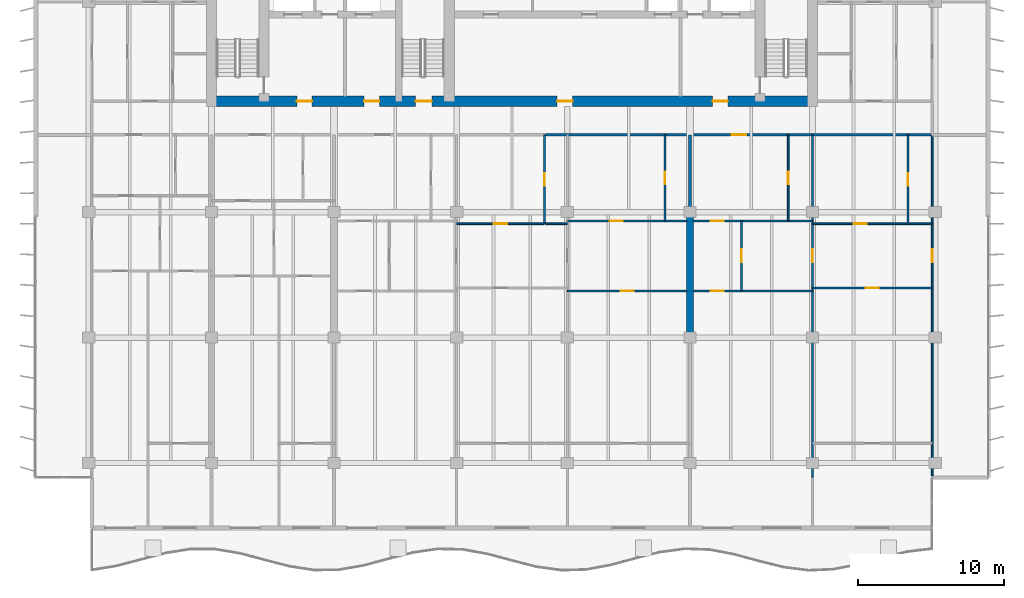
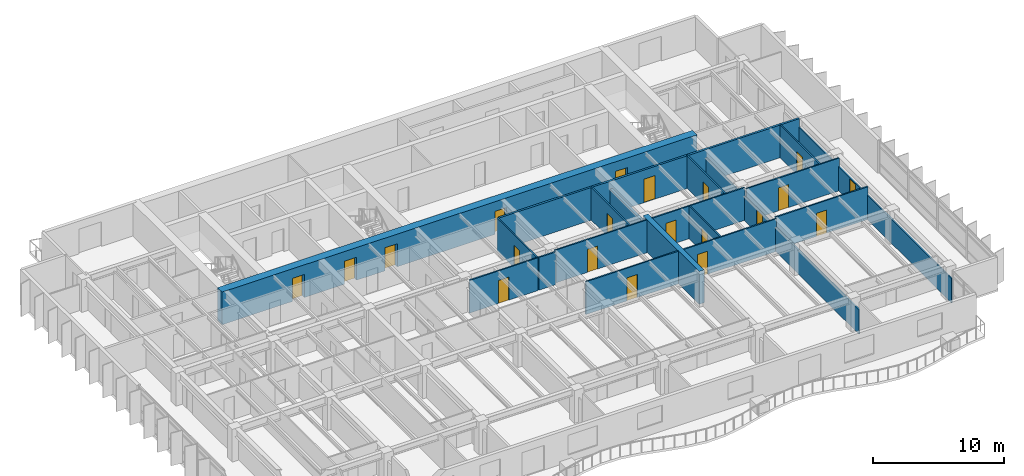
# One storey, part 10 of 17: 20 doors, 19 walls, 20 openings.
"""IFC4 building model written with IfcOpenShell, lengths in metres."""

from ifc_helpers import new_model, si_unit, direction, frame, frame_2d, origin, place, context, subcontext, project, spatial, rectangle, extrude, material, layer, layer_set, type_object, element, fill, save


model = new_model("IFC4")

# Units and contexts
model_context = context("Model", 3, precision=1e-05, world=origin(), true_north=direction((0.0, 1.0)))
body_context = subcontext(model_context, "Body", "Model", "MODEL_VIEW")
ifc_project = project(units=[si_unit("LENGTHUNIT", "METRE"), si_unit("AREAUNIT", "SQUARE_METRE"), si_unit("VOLUMEUNIT", "CUBIC_METRE"), si_unit("PLANEANGLEUNIT", "RADIAN"), si_unit("MASSUNIT", "GRAM", prefix="KILO")], contexts=[model_context])

# Site, building, storey
site_placement = place(None, origin())
site = spatial("IfcSite", under=ifc_project, at=site_placement, CompositionType="ELEMENT")
building_placement = place(site_placement, origin())
building = spatial("IfcBuilding", under=site, at=building_placement, Name="Caelmar Bay Residences", CompositionType="ELEMENT")
storey_placement = place(building_placement, frame((0.0, 0.0, 201.60009765625)))
storey = spatial("IfcBuildingStorey", under=building, at=storey_placement, Name="L56", CompositionType="ELEMENT", Elevation=201.60009765625)

# Wall, openings, doors
ifc_material_1 = material(Name="Concrete f'c 55 MPa (8,000 psi)", Category="concrete")
ifc_layer_1 = layer(ifc_material_1, 0.699951171875)
ifc_layer_set_1 = layer_set([ifc_layer_1], Name="Concrete f'c 55 MPa (8,000 psi)")
wall_type_1 = type_object("IfcWallType", Name="SW-COR-700", PredefinedType="SHEAR", material=ifc_layer_set_1)
wall_1_placement = place(storey_placement, frame((17.949951171875, 37.0, 0.0), z_axis=(0.0, 0.0, 1.0), x_axis=(1.0, 0.0, 0.0)))
wall_1 = element("IfcWall", 1, at=wall_1_placement, inside=storey, type_object=wall_type_1, Name="L56 Rear Core South Shear Wall", PredefinedType="SHEAR", context=body_context, shape_type="SweptSolid", body=[
    extrude(rectangle(XDim=41.900146484375, YDim=0.699951171875, at=frame_2d((20.9501953125, 0.0))), origin(), (0.0, 0.0, 1.0), 3.0498046875),
])
opening_1_placement = place(wall_1_placement, frame((14.35009765625, 0.0, 0.0)))
opening_1 = element("IfcOpeningElement", 2, at=opening_1_placement, cuts=wall_1, Name="Opening D-L56-105", PredefinedType="OPENING", context=body_context, shape_type="SweptSolid", body=[
    extrude(rectangle(XDim=1.10009765625, YDim=2.14990234375, at=frame_2d((0.550048828125, 1.074951171875))), frame((0.0, 0.35986328125, 0.0), z_axis=(0.0, -1.0, 0.0), x_axis=(1.0, 0.0, 0.0)), (0.0, 0.0, 1.0), 0.719970703125),
])
opening_2_placement = place(wall_1_placement, frame((6.199951171875, 0.0, 0.0)))
opening_2 = element("IfcOpeningElement", 3, at=opening_2_placement, cuts=wall_1, Name="Opening D-L56-106", PredefinedType="OPENING", context=body_context, shape_type="SweptSolid", body=[
    extrude(rectangle(XDim=1.050048828125, YDim=2.14990234375, at=frame_2d((0.52490234375, 1.074951171875))), frame((0.0, 0.35986328125, 0.0), z_axis=(0.0, -1.0, 0.0), x_axis=(1.0, 0.0, 0.0)), (0.0, 0.0, 1.0), 0.719970703125),
])
opening_3_placement = place(wall_1_placement, frame((34.699951171875, 0.0, 0.0)))
opening_3 = element("IfcOpeningElement", 4, at=opening_3_placement, cuts=wall_1, Name="Opening D-L56-109", PredefinedType="OPENING", context=body_context, shape_type="SweptSolid", body=[
    extrude(rectangle(XDim=1.050048828125, YDim=2.14990234375, at=frame_2d((0.52490234375, 1.074951171875))), frame((0.0, 0.35986328125, 0.0), z_axis=(0.0, -1.0, 0.0), x_axis=(1.0, 0.0, 0.0)), (0.0, 0.0, 1.0), 0.719970703125),
])
opening_4_placement = place(wall_1_placement, frame((10.8125, 0.0, 0.0)))
opening_4 = element("IfcOpeningElement", 5, at=opening_4_placement, cuts=wall_1, Name="Opening D-L56-112", PredefinedType="OPENING", context=body_context, shape_type="SweptSolid", body=[
    extrude(rectangle(XDim=1.050048828125, YDim=2.14990234375, at=frame_2d((0.52490234375, 1.074951171875))), frame((0.0, 0.35986328125, 0.0), z_axis=(0.0, -1.0, 0.0), x_axis=(1.0, 0.0, 0.0)), (0.0, 0.0, 1.0), 0.719970703125),
])
opening_5_placement = place(wall_1_placement, frame((24.050048828125, 0.0, 0.0)))
opening_5 = element("IfcOpeningElement", 6, at=opening_5_placement, cuts=wall_1, Name="Opening D-L56-113", PredefinedType="OPENING", context=body_context, shape_type="SweptSolid", body=[
    extrude(rectangle(XDim=1.050048828125, YDim=2.14990234375, at=frame_2d((0.52490234375, 1.074951171875))), frame((0.0, 0.35986328125, 0.0), z_axis=(0.0, -1.0, 0.0), x_axis=(1.0, 0.0, 0.0)), (0.0, 0.0, 1.0), 0.719970703125),
])
ifc_material_2 = material(Name="Fire-rated steel and walnut architectural door assembly", Category="steel")
ifc_layer_2 = layer(ifc_material_2, 0.050048828125)
ifc_layer_set_2 = layer_set([ifc_layer_2], Name="Fire-rated steel and walnut architectural door assembly")
door_type_1 = type_object("IfcDoorType", Name="D-FSAE-1050", OperationType="NOTDEFINED", PredefinedType="DOOR", material=ifc_layer_set_2)
door_1_placement = place(opening_2_placement, origin())
door_1 = element("IfcDoor", 7, at=door_1_placement, inside=storey, type_object=door_type_1, Name="L56 Firefighting Lobby West Door", OperationType="SINGLE_SWING_RIGHT", OverallHeight=2.14990234375, OverallWidth=1.050048828125, PredefinedType="DOOR", context=body_context, shape_type="SweptSolid", body=[
    extrude(rectangle(XDim=1.050048828125, YDim=2.14990234375, at=frame_2d((0.52490234375, 1.074951171875))), frame((0.0, 0.02490234375, 0.0), z_axis=(0.0, -1.0, 0.0), x_axis=(1.0, 0.0, 0.0)), (0.0, 0.0, 1.0), 0.050048828125),
])
fill(opening_2, door_1)
door_2_placement = place(opening_3_placement, origin())
door_2 = element("IfcDoor", 8, at=door_2_placement, inside=storey, type_object=door_type_1, Name="L56 Firefighting Lobby East Door", OperationType="SINGLE_SWING_LEFT", OverallHeight=2.14990234375, OverallWidth=1.050048828125, PredefinedType="DOOR", context=body_context, shape_type="SweptSolid", body=[
    extrude(rectangle(XDim=1.050048828125, YDim=2.14990234375, at=frame_2d((0.52490234375, 1.074951171875))), frame((0.0, 0.02490234375, 0.0), z_axis=(0.0, -1.0, 0.0), x_axis=(1.0, 0.0, 0.0)), (0.0, 0.0, 1.0), 0.050048828125),
])
fill(opening_3, door_2)
door_3_placement = place(opening_4_placement, origin())
door_3 = element("IfcDoor", 9, at=door_3_placement, inside=storey, type_object=door_type_1, Name="L56 West Lift Lobby Door", OperationType="SINGLE_SWING_RIGHT", OverallHeight=2.14990234375, OverallWidth=1.050048828125, PredefinedType="DOOR", context=body_context, shape_type="SweptSolid", body=[
    extrude(rectangle(XDim=1.050048828125, YDim=2.14990234375, at=frame_2d((0.52490234375, 1.074951171875))), frame((0.0, 0.02490234375, 0.0), z_axis=(0.0, -1.0, 0.0), x_axis=(1.0, 0.0, 0.0)), (0.0, 0.0, 1.0), 0.050048828125),
])
fill(opening_4, door_3)
door_4_placement = place(opening_5_placement, origin())
door_4 = element("IfcDoor", 10, at=door_4_placement, inside=storey, type_object=door_type_1, Name="L56 Passenger Lift Lobby Door", OperationType="SINGLE_SWING_LEFT", OverallHeight=2.14990234375, OverallWidth=1.050048828125, PredefinedType="DOOR", context=body_context, shape_type="SweptSolid", body=[
    extrude(rectangle(XDim=1.050048828125, YDim=2.14990234375, at=frame_2d((0.52490234375, 1.074951171875))), frame((0.0, 0.02490234375, 0.0), z_axis=(0.0, -1.0, 0.0), x_axis=(1.0, 0.0, 0.0)), (0.0, 0.0, 1.0), 0.050048828125),
])
fill(opening_5, door_4)
ifc_layer_3 = layer(ifc_material_2, 0.050048828125)
ifc_layer_set_3 = layer_set([ifc_layer_3], Name="Fire-rated steel and walnut architectural door assembly")
door_type_2 = type_object("IfcDoorType", Name="D-STAIR-1100", OperationType="NOTDEFINED", PredefinedType="DOOR", material=ifc_layer_set_3)
door_5_placement = place(opening_1_placement, origin())
door_5 = element("IfcDoor", 11, at=door_5_placement, inside=storey, type_object=door_type_2, Name="L56 Exit Stair ST3 Door", OperationType="SINGLE_SWING_LEFT", OverallHeight=2.14990234375, OverallWidth=1.10009765625, PredefinedType="DOOR", context=body_context, shape_type="SweptSolid", body=[
    extrude(rectangle(XDim=1.10009765625, YDim=2.14990234375, at=frame_2d((0.550048828125, 1.074951171875))), frame((0.0, 0.02490234375, 0.0), z_axis=(0.0, -1.0, 0.0), x_axis=(1.0, 0.0, 0.0)), (0.0, 0.0, 1.0), 0.050048828125),
])
fill(opening_1, door_5)

# Wall
ifc_layer_4 = layer(ifc_material_1, 0.449951171875)
ifc_layer_set_4 = layer_set([ifc_layer_4], Name="Concrete f'c 55 MPa (8,000 psi)")
wall_type_2 = type_object("IfcWallType", Name="SW-XSLB-450", PredefinedType="SHEAR", material=ifc_layer_set_4)
wall_2_placement = place(storey_placement, frame((51.10009765625, 20.800048828125, 0.0), z_axis=(0.0, 0.0, 1.0), x_axis=(0.0, 1.0, 0.0)))
element("IfcWall", 12, at=wall_2_placement, inside=storey, type_object=wall_type_2, Name="L56 Transverse Cross-Slab Shear Wall E8", PredefinedType="SHEAR", context=body_context, shape_type="SweptSolid", body=[
    extrude(rectangle(XDim=8.599853515625, YDim=0.449951171875, at=frame_2d((4.2998046875, 0.0))), origin(), (0.0, 0.0, 1.0), 3.0498046875),
])

# Wall, opening, door
ifc_material_3 = material(Name="Double-stud acoustic fire-rated gypsum partition 180 mm")
ifc_layer_5 = layer(ifc_material_3, 0.179931640625)
ifc_layer_set_5 = layer_set([ifc_layer_5], Name="Double-stud acoustic fire-rated gypsum partition 180 mm")
wall_type_3 = type_object("IfcWallType", Name="W-COR-200", PredefinedType="PARTITIONING", material=ifc_layer_set_5)
wall_3_placement = place(storey_placement, frame((41.199951171875, 34.699951171875, 0.0), z_axis=(0.0, 0.0, 1.0), x_axis=(1.0, 0.0, 0.0)))
wall_3 = element("IfcWall", 13, at=wall_3_placement, inside=storey, type_object=wall_type_3, Name="L56 Partition Wall H079", PredefinedType="PARTITIONING", context=body_context, shape_type="SweptSolid", body=[
    extrude(rectangle(XDim=26.5, YDim=0.179931640625, at=frame_2d((13.25, 0.0))), origin(), (0.0, 0.0, 1.0), 3.0498046875),
])
opening_6_placement = place(wall_3_placement, frame((12.76953125, 0.0, 0.0)))
opening_6 = element("IfcOpeningElement", 14, at=opening_6_placement, cuts=wall_3, Name="Opening D-L56-151", PredefinedType="OPENING", context=body_context, shape_type="SweptSolid", body=[
    extrude(rectangle(XDim=1.0, YDim=2.199951171875, at=frame_2d((0.5, 1.10009765625))), frame((0.0, 0.099853515625, 0.0), z_axis=(0.0, -1.0, 0.0), x_axis=(1.0, 0.0, 0.0)), (0.0, 0.0, 1.0), 0.199951171875),
])
ifc_layer_6 = layer(ifc_material_2, 0.050048828125)
ifc_layer_set_6 = layer_set([ifc_layer_6], Name="Fire-rated steel and walnut architectural door assembly")
door_type_3 = type_object("IfcDoorType", Name="D-UNIT-1000", OperationType="NOTDEFINED", PredefinedType="DOOR", material=ifc_layer_set_6)
door_6_placement = place(opening_6_placement, origin())
door_6 = element("IfcDoor", 15, at=door_6_placement, inside=storey, type_object=door_type_3, Name="L56 Residence 04 Apartment Hall Door", OperationType="SINGLE_SWING_LEFT", OverallHeight=2.199951171875, OverallWidth=1.0, PredefinedType="DOOR", context=body_context, shape_type="SweptSolid", body=[
    extrude(rectangle(XDim=1.0, YDim=2.199951171875, at=frame_2d((0.5, 1.10009765625))), frame((0.0, 0.02490234375, 0.0), z_axis=(0.0, -1.0, 0.0), x_axis=(1.0, 0.0, 0.0)), (0.0, 0.0, 1.0), 0.050048828125),
])
fill(opening_6, door_6)

ifc_material_4 = material(Name="Acoustic metal-stud gypsum partition 120 mm")
ifc_layer_7 = layer(ifc_material_4, 0.1201171875)
ifc_layer_set_7 = layer_set([ifc_layer_7], Name="Acoustic metal-stud gypsum partition 120 mm")
wall_type_4 = type_object("IfcWallType", Name="W-PRT-120", PredefinedType="PARTITIONING", material=ifc_layer_set_7)
wall_4_placement = place(storey_placement, frame((41.1259765625, 28.60009765625, 0.0), z_axis=(0.0, 0.0, 1.0), x_axis=(0.0, 1.0, 0.0)))
wall_4 = element("IfcWall", 16, at=wall_4_placement, inside=storey, type_object=wall_type_4, Name="L56 Partition Wall V030", PredefinedType="PARTITIONING", context=body_context, shape_type="SweptSolid", body=[
    extrude(rectangle(XDim=6.099853515625, YDim=0.1201171875, at=frame_2d((3.0498046875, 0.0))), origin(), (0.0, 0.0, 1.0), 3.0498046875),
])
opening_7_placement = place(wall_4_placement, frame((2.625, 0.0, 0.0)))
opening_7 = element("IfcOpeningElement", 17, at=opening_7_placement, cuts=wall_4, Name="Opening D-L56-143", PredefinedType="OPENING", context=body_context, shape_type="SweptSolid", body=[
    extrude(rectangle(XDim=0.85009765625, YDim=2.10009765625, at=frame_2d((0.425048828125, 1.050048828125))), frame((0.0, 0.070068359375, 0.0), z_axis=(0.0, -1.0, 0.0), x_axis=(1.0, 0.0, 0.0)), (0.0, 0.0, 1.0), 0.14013671875),
])
ifc_material_5 = material(Name="Solid walnut timber interior door leaf and frame", Category="wood")
ifc_layer_8 = layer(ifc_material_5, 0.050048828125)
ifc_layer_set_8 = layer_set([ifc_layer_8], Name="Solid walnut timber interior door leaf and frame")
door_type_4 = type_object("IfcDoorType", Name="D-BATH-850", OperationType="NOTDEFINED", PredefinedType="DOOR", material=ifc_layer_set_8)
door_7_placement = place(opening_7_placement, origin())
door_7 = element("IfcDoor", 18, at=door_7_placement, inside=storey, type_object=door_type_4, Name="L56 Residence 03 En-Suite Bathroom 1 Door", OperationType="SINGLE_SWING_LEFT", OverallHeight=2.10009765625, OverallWidth=0.85009765625, PredefinedType="DOOR", context=body_context, shape_type="SweptSolid", body=[
    extrude(rectangle(XDim=0.85009765625, YDim=2.10009765625, at=frame_2d((0.425048828125, 1.050048828125))), frame((0.0, 0.02490234375, 0.0), z_axis=(0.0, -1.0, 0.0), x_axis=(1.0, 0.0, 0.0)), (0.0, 0.0, 1.0), 0.050048828125),
])
fill(opening_7, door_7)

wall_5_placement = place(storey_placement, frame((49.387939453125, 28.800048828125, 0.0), z_axis=(0.0, 0.0, 1.0), x_axis=(0.0, 1.0, 0.0)))
wall_5 = element("IfcWall", 19, at=wall_5_placement, inside=storey, type_object=wall_type_4, Name="L56 Partition Wall V036", PredefinedType="PARTITIONING", context=body_context, shape_type="SweptSolid", body=[
    extrude(rectangle(XDim=5.89990234375, YDim=0.1201171875, at=frame_2d((2.949951171875, 0.0))), origin(), (0.0, 0.0, 1.0), 3.0498046875),
])
opening_8_placement = place(wall_5_placement, frame((2.52490234375, 0.0, 0.0)))
opening_8 = element("IfcOpeningElement", 20, at=opening_8_placement, cuts=wall_5, Name="Opening D-L56-148", PredefinedType="OPENING", context=body_context, shape_type="SweptSolid", body=[
    extrude(rectangle(XDim=0.85009765625, YDim=2.10009765625, at=frame_2d((0.425048828125, 1.050048828125))), frame((0.0, 0.070068359375, 0.0), z_axis=(0.0, -1.0, 0.0), x_axis=(1.0, 0.0, 0.0)), (0.0, 0.0, 1.0), 0.14013671875),
])
door_8_placement = place(opening_8_placement, origin())
door_8 = element("IfcDoor", 21, at=door_8_placement, inside=storey, type_object=door_type_4, Name="L56 Residence 03 En-Suite Bathroom 2 Door", OperationType="SINGLE_SWING_RIGHT", OverallHeight=2.10009765625, OverallWidth=0.85009765625, PredefinedType="DOOR", context=body_context, shape_type="SweptSolid", body=[
    extrude(rectangle(XDim=0.85009765625, YDim=2.10009765625, at=frame_2d((0.425048828125, 1.050048828125))), frame((0.0, 0.02490234375, 0.0), z_axis=(0.0, -1.0, 0.0), x_axis=(1.0, 0.0, 0.0)), (0.0, 0.0, 1.0), 0.050048828125),
])
fill(opening_8, door_8)

wall_6_placement = place(storey_placement, frame((54.6279296875, 24.0, 0.0), z_axis=(0.0, 0.0, 1.0), x_axis=(0.0, 1.0, 0.0)))
wall_6 = element("IfcWall", 22, at=wall_6_placement, inside=storey, type_object=wall_type_4, Name="L56 Partition Wall V044", PredefinedType="PARTITIONING", context=body_context, shape_type="SweptSolid", body=[
    extrude(rectangle(XDim=4.800048828125, YDim=0.1201171875, at=frame_2d((2.39990234375, 0.0))), origin(), (0.0, 0.0, 1.0), 3.0498046875),
])
opening_9_placement = place(wall_6_placement, frame((1.949951171875, 0.0, 0.0)))
opening_9 = element("IfcOpeningElement", 23, at=opening_9_placement, cuts=wall_6, Name="Opening D-L56-154", PredefinedType="OPENING", context=body_context, shape_type="SweptSolid", body=[
    extrude(rectangle(XDim=0.89990234375, YDim=2.14990234375, at=frame_2d((0.449951171875, 1.074951171875))), frame((0.0, 0.070068359375, 0.0), z_axis=(0.0, -1.0, 0.0), x_axis=(1.0, 0.0, 0.0)), (0.0, 0.0, 1.0), 0.14013671875),
])
ifc_layer_9 = layer(ifc_material_5, 0.050048828125)
ifc_layer_set_9 = layer_set([ifc_layer_9], Name="Solid walnut timber interior door leaf and frame")
door_type_5 = type_object("IfcDoorType", Name="D-ROOM-900", OperationType="NOTDEFINED", PredefinedType="DOOR", material=ifc_layer_set_9)
door_9_placement = place(opening_9_placement, origin())
door_9 = element("IfcDoor", 24, at=door_9_placement, inside=storey, type_object=door_type_5, Name="L56 Residence 04 Kitchen Door", OperationType="SINGLE_SWING_RIGHT", OverallHeight=2.14990234375, OverallWidth=0.89990234375, PredefinedType="DOOR", context=body_context, shape_type="SweptSolid", body=[
    extrude(rectangle(XDim=0.89990234375, YDim=2.14990234375, at=frame_2d((0.449951171875, 1.074951171875))), frame((0.0, 0.02490234375, 0.0), z_axis=(0.0, -1.0, 0.0), x_axis=(1.0, 0.0, 0.0)), (0.0, 0.0, 1.0), 0.050048828125),
])
fill(opening_9, door_9)

wall_7_placement = place(storey_placement, frame((57.839111328125, 28.800048828125, 0.0), z_axis=(0.0, 0.0, 1.0), x_axis=(0.0, 1.0, 0.0)))
wall_7 = element("IfcWall", 25, at=wall_7_placement, inside=storey, type_object=wall_type_4, Name="L56 Partition Wall V046", PredefinedType="PARTITIONING", context=body_context, shape_type="SweptSolid", body=[
    extrude(rectangle(XDim=5.89990234375, YDim=0.1201171875, at=frame_2d((2.949951171875, 0.0))), origin(), (0.0, 0.0, 1.0), 3.0498046875),
])
opening_10_placement = place(wall_7_placement, frame((2.52490234375, 0.0, 0.0)))
opening_10 = element("IfcOpeningElement", 26, at=opening_10_placement, cuts=wall_7, Name="Opening D-L56-152", PredefinedType="OPENING", context=body_context, shape_type="SweptSolid", body=[
    extrude(rectangle(XDim=0.85009765625, YDim=2.10009765625, at=frame_2d((0.425048828125, 1.050048828125))), frame((0.0, 0.070068359375, 0.0), z_axis=(0.0, -1.0, 0.0), x_axis=(1.0, 0.0, 0.0)), (0.0, 0.0, 1.0), 0.14013671875),
])
door_10_placement = place(opening_10_placement, origin())
door_10 = element("IfcDoor", 27, at=door_10_placement, inside=storey, type_object=door_type_4, Name="L56 Residence 04 Guest Bathroom Door", OperationType="SINGLE_SWING_RIGHT", OverallHeight=2.10009765625, OverallWidth=0.85009765625, PredefinedType="DOOR", context=body_context, shape_type="SweptSolid", body=[
    extrude(rectangle(XDim=0.85009765625, YDim=2.10009765625, at=frame_2d((0.425048828125, 1.050048828125))), frame((0.0, 0.02490234375, 0.0), z_axis=(0.0, -1.0, 0.0), x_axis=(1.0, 0.0, 0.0)), (0.0, 0.0, 1.0), 0.050048828125),
])
fill(opening_10, door_10)

wall_8_placement = place(storey_placement, frame((59.5, 11.239990234375, 0.0), z_axis=(0.0, 0.0, 1.0), x_axis=(0.0, 1.0, 0.0)))
wall_8 = element("IfcWall", 28, at=wall_8_placement, inside=storey, type_object=wall_type_4, Name="L56 Partition Wall V048", PredefinedType="PARTITIONING", context=body_context, shape_type="SweptSolid", body=[
    extrude(rectangle(XDim=23.4599609375, YDim=0.1201171875, at=frame_2d((11.72998046875, 0.0))), origin(), (0.0, 0.0, 1.0), 2.262939453125),
])
opening_11_placement = place(wall_8_placement, frame((14.7099609375, 0.0, 0.0)))
opening_11 = element("IfcOpeningElement", 29, at=opening_11_placement, cuts=wall_8, Name="Opening D-L56-156", PredefinedType="OPENING", context=body_context, shape_type="SweptSolid", body=[
    extrude(rectangle(XDim=0.89990234375, YDim=2.14990234375, at=frame_2d((0.449951171875, 1.074951171875))), frame((0.0, 0.070068359375, 0.0), z_axis=(0.0, -1.0, 0.0), x_axis=(1.0, 0.0, 0.0)), (0.0, 0.0, 1.0), 0.14013671875),
])
door_11_placement = place(opening_11_placement, origin())
door_11 = element("IfcDoor", 30, at=door_11_placement, inside=storey, type_object=door_type_5, Name="L56 Residence 04 Family Room 1 Door", OperationType="SINGLE_SWING_RIGHT", OverallHeight=2.14990234375, OverallWidth=0.89990234375, PredefinedType="DOOR", context=body_context, shape_type="SweptSolid", body=[
    extrude(rectangle(XDim=0.89990234375, YDim=2.14990234375, at=frame_2d((0.449951171875, 1.074951171875))), frame((0.0, 0.02490234375, 0.0), z_axis=(0.0, -1.0, 0.0), x_axis=(1.0, 0.0, 0.0)), (0.0, 0.0, 1.0), 0.050048828125),
])
fill(opening_11, door_11)

wall_9_placement = place(storey_placement, frame((66.0439453125, 28.60009765625, 0.0), z_axis=(0.0, 0.0, 1.0), x_axis=(0.0, 1.0, 0.0)))
wall_9 = element("IfcWall", 31, at=wall_9_placement, inside=storey, type_object=wall_type_4, Name="L56 Partition Wall V051", PredefinedType="PARTITIONING", context=body_context, shape_type="SweptSolid", body=[
    extrude(rectangle(XDim=6.099853515625, YDim=0.1201171875, at=frame_2d((3.0498046875, 0.0))), origin(), (0.0, 0.0, 1.0), 3.0498046875),
])
opening_12_placement = place(wall_9_placement, frame((2.625, 0.0, 0.0)))
opening_12 = element("IfcOpeningElement", 32, at=opening_12_placement, cuts=wall_9, Name="Opening D-L56-158", PredefinedType="OPENING", context=body_context, shape_type="SweptSolid", body=[
    extrude(rectangle(XDim=0.85009765625, YDim=2.10009765625, at=frame_2d((0.425048828125, 1.050048828125))), frame((0.0, 0.070068359375, 0.0), z_axis=(0.0, -1.0, 0.0), x_axis=(1.0, 0.0, 0.0)), (0.0, 0.0, 1.0), 0.14013671875),
])
door_12_placement = place(opening_12_placement, origin())
door_12 = element("IfcDoor", 33, at=door_12_placement, inside=storey, type_object=door_type_4, Name="L56 Residence 04 En-Suite Bathroom 1 Door", OperationType="SINGLE_SWING_RIGHT", OverallHeight=2.10009765625, OverallWidth=0.85009765625, PredefinedType="DOOR", context=body_context, shape_type="SweptSolid", body=[
    extrude(rectangle(XDim=0.85009765625, YDim=2.10009765625, at=frame_2d((0.425048828125, 1.050048828125))), frame((0.0, 0.02490234375, 0.0), z_axis=(0.0, -1.0, 0.0), x_axis=(1.0, 0.0, 0.0)), (0.0, 0.0, 1.0), 0.050048828125),
])
fill(opening_12, door_12)

wall_10_placement = place(storey_placement, frame((67.699951171875, 11.320068359375, 0.0), z_axis=(0.0, 0.0, 1.0), x_axis=(0.0, 1.0, 0.0)))
wall_10 = element("IfcWall", 34, at=wall_10_placement, inside=storey, type_object=wall_type_4, Name="L56 Partition Wall V052", PredefinedType="PARTITIONING", context=body_context, shape_type="SweptSolid", body=[
    extrude(rectangle(XDim=23.3798828125, YDim=0.1201171875, at=frame_2d((11.68994140625, 0.0))), origin(), (0.0, 0.0, 1.0), 2.262939453125),
])
opening_13_placement = place(wall_10_placement, frame((14.6298828125, 0.0, 0.0)))
opening_13 = element("IfcOpeningElement", 35, at=opening_13_placement, cuts=wall_10, Name="Opening D-L56-162", PredefinedType="OPENING", context=body_context, shape_type="SweptSolid", body=[
    extrude(rectangle(XDim=0.89990234375, YDim=2.14990234375, at=frame_2d((0.449951171875, 1.074951171875))), frame((0.0, 0.070068359375, 0.0), z_axis=(0.0, -1.0, 0.0), x_axis=(1.0, 0.0, 0.0)), (0.0, 0.0, 1.0), 0.14013671875),
])
door_13_placement = place(opening_13_placement, origin())
door_13 = element("IfcDoor", 36, at=door_13_placement, inside=storey, type_object=door_type_5, Name="L56 Residence 04 Penthouse East Salon Door", OperationType="SINGLE_SWING_RIGHT", OverallHeight=2.14990234375, OverallWidth=0.89990234375, PredefinedType="DOOR", context=body_context, shape_type="SweptSolid", body=[
    extrude(rectangle(XDim=0.89990234375, YDim=2.14990234375, at=frame_2d((0.449951171875, 1.074951171875))), frame((0.0, 0.02490234375, 0.0), z_axis=(0.0, -1.0, 0.0), x_axis=(1.0, 0.0, 0.0)), (0.0, 0.0, 1.0), 0.050048828125),
])
fill(opening_13, door_13)

wall_11_placement = place(storey_placement, frame((42.699951171875, 24.0, 0.0), z_axis=(0.0, 0.0, 1.0), x_axis=(1.0, 0.0, 0.0)))
wall_11 = element("IfcWall", 37, at=wall_11_placement, inside=storey, type_object=wall_type_4, Name="L56 Partition Wall H062", PredefinedType="PARTITIONING", context=body_context, shape_type="SweptSolid", body=[
    extrude(rectangle(XDim=8.179931640625, YDim=0.1201171875, at=frame_2d((4.08984375, 0.0))), origin(), (0.0, 0.0, 1.0), 3.0498046875),
])
opening_14_placement = place(wall_11_placement, frame((3.639892578125, 0.0, 0.0)))
opening_14 = element("IfcOpeningElement", 38, at=opening_14_placement, cuts=wall_11, Name="Opening D-L56-149", PredefinedType="OPENING", context=body_context, shape_type="SweptSolid", body=[
    extrude(rectangle(XDim=0.89990234375, YDim=2.14990234375, at=frame_2d((0.449951171875, 1.074951171875))), frame((0.0, 0.070068359375, 0.0), z_axis=(0.0, -1.0, 0.0), x_axis=(1.0, 0.0, 0.0)), (0.0, 0.0, 1.0), 0.14013671875),
])
door_14_placement = place(opening_14_placement, origin())
door_14 = element("IfcDoor", 39, at=door_14_placement, inside=storey, type_object=door_type_5, Name="L56 Residence 03 Penthouse Sitting Salon 2 Door", OperationType="SINGLE_SWING_LEFT", OverallHeight=2.14990234375, OverallWidth=0.89990234375, PredefinedType="DOOR", context=body_context, shape_type="SweptSolid", body=[
    extrude(rectangle(XDim=0.89990234375, YDim=2.14990234375, at=frame_2d((0.449951171875, 1.074951171875))), frame((0.0, 0.02490234375, 0.0), z_axis=(0.0, -1.0, 0.0), x_axis=(1.0, 0.0, 0.0)), (0.0, 0.0, 1.0), 0.050048828125),
])
fill(opening_14, door_14)

wall_12_placement = place(storey_placement, frame((51.320068359375, 24.0, 0.0), z_axis=(0.0, 0.0, 1.0), x_axis=(1.0, 0.0, 0.0)))
wall_12 = element("IfcWall", 40, at=wall_12_placement, inside=storey, type_object=wall_type_4, Name="L56 Partition Wall H063", PredefinedType="PARTITIONING", context=body_context, shape_type="SweptSolid", body=[
    extrude(rectangle(XDim=8.179931640625, YDim=0.1201171875, at=frame_2d((4.08984375, 0.0))), origin(), (0.0, 0.0, 1.0), 3.0498046875),
])
opening_15_placement = place(wall_12_placement, frame((1.2041015625, 0.0, 0.0)))
opening_15 = element("IfcOpeningElement", 41, at=opening_15_placement, cuts=wall_12, Name="Opening D-L56-155", PredefinedType="OPENING", context=body_context, shape_type="SweptSolid", body=[
    extrude(rectangle(XDim=0.89990234375, YDim=2.14990234375, at=frame_2d((0.449951171875, 1.074951171875))), frame((0.0, 0.070068359375, 0.0), z_axis=(0.0, -1.0, 0.0), x_axis=(1.0, 0.0, 0.0)), (0.0, 0.0, 1.0), 0.14013671875),
])
door_15_placement = place(opening_15_placement, origin())
door_15 = element("IfcDoor", 42, at=door_15_placement, inside=storey, type_object=door_type_5, Name="L56 Residence 04 Penthouse Living Salon Door", OperationType="SINGLE_SWING_LEFT", OverallHeight=2.14990234375, OverallWidth=0.89990234375, PredefinedType="DOOR", context=body_context, shape_type="SweptSolid", body=[
    extrude(rectangle(XDim=0.89990234375, YDim=2.14990234375, at=frame_2d((0.449951171875, 1.074951171875))), frame((0.0, 0.02490234375, 0.0), z_axis=(0.0, -1.0, 0.0), x_axis=(1.0, 0.0, 0.0)), (0.0, 0.0, 1.0), 0.050048828125),
])
fill(opening_15, door_15)

wall_13_placement = place(storey_placement, frame((59.5048828125, 24.199951171875, 0.0), z_axis=(0.0, 0.0, 1.0), x_axis=(1.0, 0.0, 0.0)))
wall_13 = element("IfcWall", 43, at=wall_13_placement, inside=storey, type_object=wall_type_4, Name="L56 Partition Wall H066", PredefinedType="PARTITIONING", context=body_context, shape_type="SweptSolid", body=[
    extrude(rectangle(XDim=8.195068359375, YDim=0.1201171875, at=frame_2d((4.09765625, 0.0))), origin(), (0.0, 0.0, 1.0), 3.0498046875),
])
opening_16_placement = place(wall_13_placement, frame((3.6474609375, 0.0, 0.0)))
opening_16 = element("IfcOpeningElement", 44, at=opening_16_placement, cuts=wall_13, Name="Opening D-L56-159", PredefinedType="OPENING", context=body_context, shape_type="SweptSolid", body=[
    extrude(rectangle(XDim=0.89990234375, YDim=2.14990234375, at=frame_2d((0.449951171875, 1.074951171875))), frame((0.0, 0.070068359375, 0.0), z_axis=(0.0, -1.0, 0.0), x_axis=(1.0, 0.0, 0.0)), (0.0, 0.0, 1.0), 0.14013671875),
])
door_16_placement = place(opening_16_placement, origin())
door_16 = element("IfcDoor", 45, at=door_16_placement, inside=storey, type_object=door_type_5, Name="L56 Residence 04 Penthouse Sitting Salon 1 Door", OperationType="SINGLE_SWING_LEFT", OverallHeight=2.14990234375, OverallWidth=0.89990234375, PredefinedType="DOOR", context=body_context, shape_type="SweptSolid", body=[
    extrude(rectangle(XDim=0.89990234375, YDim=2.14990234375, at=frame_2d((0.449951171875, 1.074951171875))), frame((0.0, 0.02490234375, 0.0), z_axis=(0.0, -1.0, 0.0), x_axis=(1.0, 0.0, 0.0)), (0.0, 0.0, 1.0), 0.050048828125),
])
fill(opening_16, door_16)

wall_14_placement = place(storey_placement, frame((35.10009765625, 28.60009765625, 0.0), z_axis=(0.0, 0.0, 1.0), x_axis=(1.0, 0.0, 0.0)))
wall_14 = element("IfcWall", 46, at=wall_14_placement, inside=storey, type_object=wall_type_4, Name="L56 Partition Wall H069", PredefinedType="PARTITIONING", context=body_context, shape_type="SweptSolid", body=[
    extrude(rectangle(XDim=6.02587890625, YDim=0.1201171875, at=frame_2d((3.012939453125, 0.0))), origin(), (0.0, 0.0, 1.0), 3.0498046875),
])
opening_17_placement = place(wall_14_placement, frame((2.56298828125, 0.0, 0.0)))
opening_17 = element("IfcOpeningElement", 47, at=opening_17_placement, cuts=wall_14, Name="Opening D-L56-142", PredefinedType="OPENING", context=body_context, shape_type="SweptSolid", body=[
    extrude(rectangle(XDim=0.89990234375, YDim=2.14990234375, at=frame_2d((0.449951171875, 1.074951171875))), frame((0.0, 0.070068359375, 0.0), z_axis=(0.0, -1.0, 0.0), x_axis=(1.0, 0.0, 0.0)), (0.0, 0.0, 1.0), 0.14013671875),
])
door_17_placement = place(opening_17_placement, origin())
door_17 = element("IfcDoor", 48, at=door_17_placement, inside=storey, type_object=door_type_5, Name="L56 Residence 03 Sitting Room 1 Door", OperationType="SINGLE_SWING_RIGHT", OverallHeight=2.14990234375, OverallWidth=0.89990234375, PredefinedType="DOOR", context=body_context, shape_type="SweptSolid", body=[
    extrude(rectangle(XDim=0.89990234375, YDim=2.14990234375, at=frame_2d((0.449951171875, 1.074951171875))), frame((0.0, 0.02490234375, 0.0), z_axis=(0.0, -1.0, 0.0), x_axis=(1.0, 0.0, 0.0)), (0.0, 0.0, 1.0), 0.050048828125),
])
fill(opening_17, door_17)

# Wall
wall_15_placement = place(storey_placement, frame((41.199951171875, 28.60009765625, 0.0), z_axis=(0.0, 0.0, 1.0), x_axis=(1.0, 0.0, 0.0)))
element("IfcWall", 49, at=wall_15_placement, inside=storey, type_object=wall_type_4, Name="L56 Partition Wall H070", PredefinedType="PARTITIONING", context=body_context, shape_type="SweptSolid", body=[
    extrude(rectangle(XDim=1.5, YDim=0.1201171875, at=frame_2d((0.75, 0.0))), origin(), (0.0, 0.0, 1.0), 3.0498046875),
])

# Wall, opening, door
wall_16_placement = place(storey_placement, frame((59.5, 28.60009765625, 0.0), z_axis=(0.0, 0.0, 1.0), x_axis=(1.0, 0.0, 0.0)))
wall_16 = element("IfcWall", 50, at=wall_16_placement, inside=storey, type_object=wall_type_4, Name="L56 Partition Wall H071", PredefinedType="PARTITIONING", context=body_context, shape_type="SweptSolid", body=[
    extrude(rectangle(XDim=8.199951171875, YDim=0.1201171875, at=frame_2d((4.10009765625, 0.0))), origin(), (0.0, 0.0, 1.0), 3.0498046875),
])
opening_18_placement = place(wall_16_placement, frame((2.822021484375, 0.0, 0.0)))
opening_18 = element("IfcOpeningElement", 51, at=opening_18_placement, cuts=wall_16, Name="Opening D-L56-157", PredefinedType="OPENING", context=body_context, shape_type="SweptSolid", body=[
    extrude(rectangle(XDim=0.89990234375, YDim=2.14990234375, at=frame_2d((0.449951171875, 1.074951171875))), frame((0.0, 0.070068359375, 0.0), z_axis=(0.0, -1.0, 0.0), x_axis=(1.0, 0.0, 0.0)), (0.0, 0.0, 1.0), 0.14013671875),
])
door_18_placement = place(opening_18_placement, origin())
door_18 = element("IfcDoor", 52, at=door_18_placement, inside=storey, type_object=door_type_5, Name="L56 Residence 04 Sitting Room 1 Door", OperationType="SINGLE_SWING_LEFT", OverallHeight=2.14990234375, OverallWidth=0.89990234375, PredefinedType="DOOR", context=body_context, shape_type="SweptSolid", body=[
    extrude(rectangle(XDim=0.89990234375, YDim=2.14990234375, at=frame_2d((0.449951171875, 1.074951171875))), frame((0.0, 0.02490234375, 0.0), z_axis=(0.0, -1.0, 0.0), x_axis=(1.0, 0.0, 0.0)), (0.0, 0.0, 1.0), 0.050048828125),
])
fill(opening_18, door_18)

wall_17_placement = place(storey_placement, frame((42.705078125, 28.800048828125, 0.0), z_axis=(0.0, 0.0, 1.0), x_axis=(1.0, 0.0, 0.0)))
wall_17 = element("IfcWall", 53, at=wall_17_placement, inside=storey, type_object=wall_type_4, Name="L56 Partition Wall H073", PredefinedType="PARTITIONING", context=body_context, shape_type="SweptSolid", body=[
    extrude(rectangle(XDim=8.1748046875, YDim=0.1201171875, at=frame_2d((4.08740234375, 0.0))), origin(), (0.0, 0.0, 1.0), 3.0498046875),
])
opening_19_placement = place(wall_17_placement, frame((2.8916015625, 0.0, 0.0)))
opening_19 = element("IfcOpeningElement", 54, at=opening_19_placement, cuts=wall_17, Name="Opening D-L56-147", PredefinedType="OPENING", context=body_context, shape_type="SweptSolid", body=[
    extrude(rectangle(XDim=0.89990234375, YDim=2.14990234375, at=frame_2d((0.449951171875, 1.074951171875))), frame((0.0, 0.070068359375, 0.0), z_axis=(0.0, -1.0, 0.0), x_axis=(1.0, 0.0, 0.0)), (0.0, 0.0, 1.0), 0.14013671875),
])
door_19_placement = place(opening_19_placement, origin())
door_19 = element("IfcDoor", 55, at=door_19_placement, inside=storey, type_object=door_type_5, Name="L56 Residence 03 Sitting Room 2 Door", OperationType="SINGLE_SWING_LEFT", OverallHeight=2.14990234375, OverallWidth=0.89990234375, PredefinedType="DOOR", context=body_context, shape_type="SweptSolid", body=[
    extrude(rectangle(XDim=0.89990234375, YDim=2.14990234375, at=frame_2d((0.449951171875, 1.074951171875))), frame((0.0, 0.02490234375, 0.0), z_axis=(0.0, -1.0, 0.0), x_axis=(1.0, 0.0, 0.0)), (0.0, 0.0, 1.0), 0.050048828125),
])
fill(opening_19, door_19)

wall_18_placement = place(storey_placement, frame((51.320068359375, 28.800048828125, 0.0), z_axis=(0.0, 0.0, 1.0), x_axis=(1.0, 0.0, 0.0)))
wall_18 = element("IfcWall", 56, at=wall_18_placement, inside=storey, type_object=wall_type_4, Name="L56 Partition Wall H074", PredefinedType="PARTITIONING", context=body_context, shape_type="SweptSolid", body=[
    extrude(rectangle(XDim=8.175048828125, YDim=0.1201171875, at=frame_2d((4.08740234375, 0.0))), origin(), (0.0, 0.0, 1.0), 3.0498046875),
])
opening_20_placement = place(wall_18_placement, frame((1.2041015625, 0.0, 0.0)))
opening_20 = element("IfcOpeningElement", 57, at=opening_20_placement, cuts=wall_18, Name="Opening D-L56-153", PredefinedType="OPENING", context=body_context, shape_type="SweptSolid", body=[
    extrude(rectangle(XDim=0.89990234375, YDim=2.14990234375, at=frame_2d((0.449951171875, 1.074951171875))), frame((0.0, 0.070068359375, 0.0), z_axis=(0.0, -1.0, 0.0), x_axis=(1.0, 0.0, 0.0)), (0.0, 0.0, 1.0), 0.14013671875),
])
door_20_placement = place(opening_20_placement, origin())
door_20 = element("IfcDoor", 58, at=door_20_placement, inside=storey, type_object=door_type_5, Name="L56 Residence 04 Dining Room Door", OperationType="SINGLE_SWING_LEFT", OverallHeight=2.14990234375, OverallWidth=0.89990234375, PredefinedType="DOOR", context=body_context, shape_type="SweptSolid", body=[
    extrude(rectangle(XDim=0.89990234375, YDim=2.14990234375, at=frame_2d((0.449951171875, 1.074951171875))), frame((0.0, 0.02490234375, 0.0), z_axis=(0.0, -1.0, 0.0), x_axis=(1.0, 0.0, 0.0)), (0.0, 0.0, 1.0), 0.050048828125),
])
fill(opening_20, door_20)

# Wall
ifc_material_6 = material(Name="Acoustic twin-stud fire-rated inter-tenancy partition 200 mm")
ifc_layer_10 = layer(ifc_material_6, 0.199951171875)
ifc_layer_set_10 = layer_set([ifc_layer_10], Name="Acoustic twin-stud fire-rated inter-tenancy partition 200 mm")
wall_type_5 = type_object("IfcWallType", Name="W-PTY-200", PredefinedType="PARTITIONING", material=ifc_layer_set_10)
wall_19_placement = place(storey_placement, frame((51.10009765625, 29.405029296875, 0.0), z_axis=(0.0, 0.0, 1.0), x_axis=(0.0, 1.0, 0.0)))
element("IfcWall", 59, at=wall_19_placement, inside=storey, type_object=wall_type_5, Name="L56 Partition Wall V042", PredefinedType="PARTITIONING", context=body_context, shape_type="SweptSolid", body=[
    extrude(rectangle(XDim=5.294921875, YDim=0.199951171875, at=frame_2d((2.6474609375, 0.0))), origin(), (0.0, 0.0, 1.0), 2.3349609375),
])

save(model, "model.ifc")
